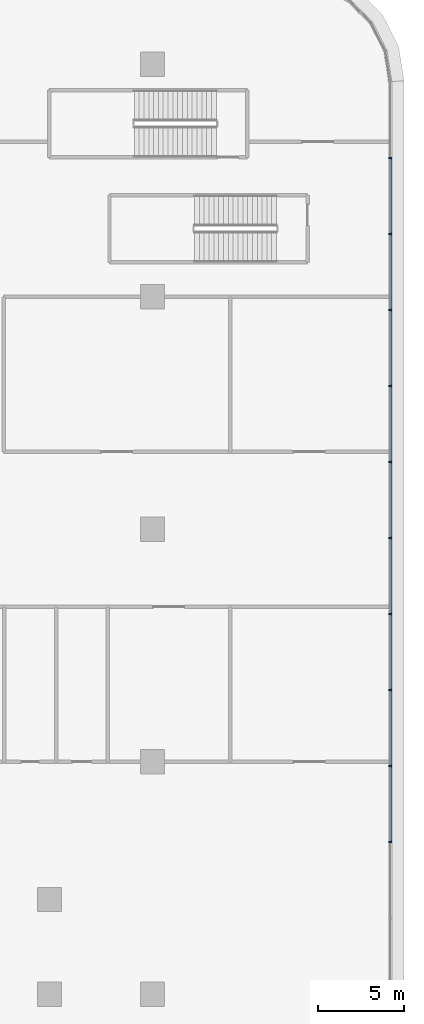
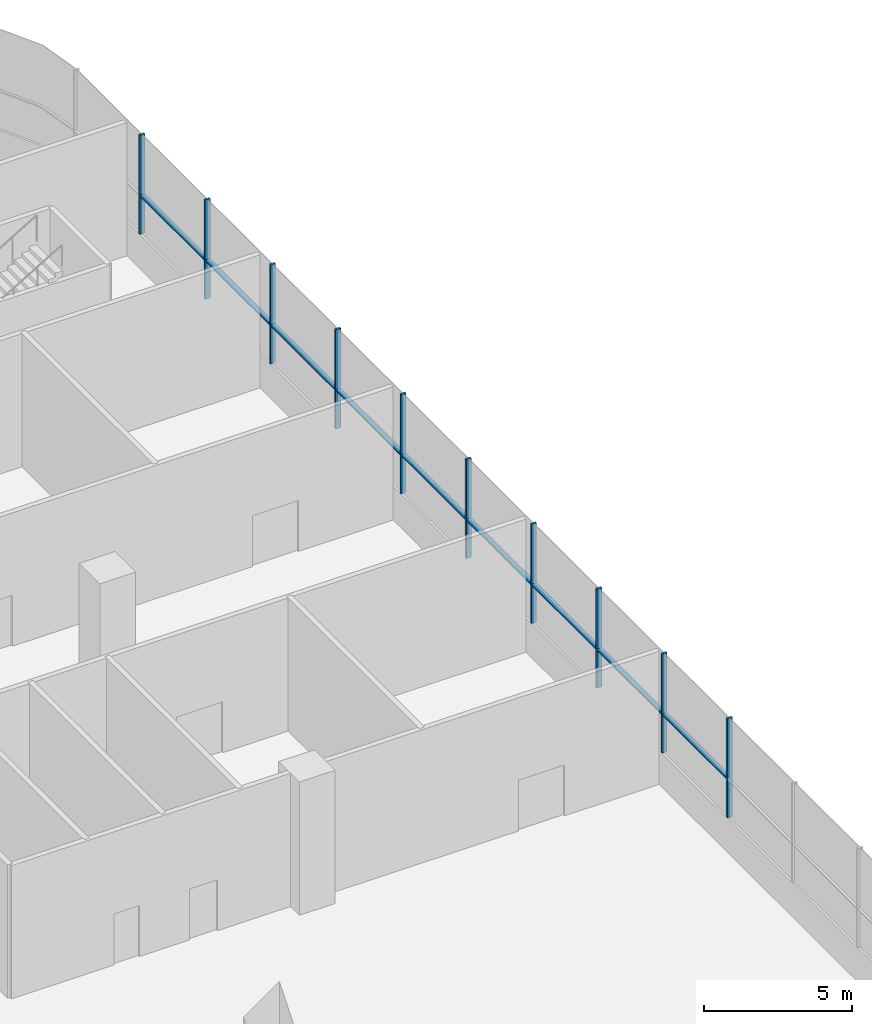
# One storey, part 21 of 52: 19 members, 1 element without a shape of its own.
"""IFC4 building model written with IfcOpenShell, lengths in metres."""

from ifc_helpers import new_model, si_unit, direction, frame, origin, origin_2d, place, context, subcontext, project, spatial, polyline, rectangle, outline, extrude, material, layer, layer_set, material_profile, profile_set, type_object, element, aggregate, save


model = new_model("IFC4")

# Units and contexts
model_context = context("Model", 3, precision=1e-05, world=origin(), true_north=direction((0.0, 1.0)))
body_context = subcontext(model_context, "Body", "Model", "MODEL_VIEW")
ifc_project = project(units=[si_unit("LENGTHUNIT", "METRE"), si_unit("AREAUNIT", "SQUARE_METRE"), si_unit("VOLUMEUNIT", "CUBIC_METRE"), si_unit("PLANEANGLEUNIT", "RADIAN"), si_unit("MASSUNIT", "GRAM", prefix="KILO")], contexts=[model_context])

# Site, building, storey
site_placement = place(None, origin())
site = spatial("IfcSite", under=ifc_project, at=site_placement, CompositionType="ELEMENT")
building_placement = place(site_placement, origin())
building = spatial("IfcBuilding", under=site, at=building_placement, Name="Tamarind Cross Interchange Tower", CompositionType="ELEMENT")
storey_placement = place(building_placement, frame((0.0, 0.0, 9.0)))
storey = spatial("IfcBuildingStorey", under=building, at=storey_placement, Name="L01", CompositionType="ELEMENT", Elevation=9.0)

# Curtain wall, members
ifc_material = material(Name="Aluminium 6063-T6", Category="aluminium")
ifc_layer = layer(ifc_material, 0.199951171875)
ifc_layer_set = layer_set([ifc_layer], Name="Aluminium 6063-T6")
curtain_wall_type = type_object("IfcCurtainWallType", Name="Podium shopfront and station curtain wall", PredefinedType="NOTDEFINED", material=ifc_layer_set)
curtain_wall_placement = place(storey_placement, origin())
curtain_wall = element("IfcCurtainWall", 1, at=curtain_wall_placement, inside=storey, type_object=curtain_wall_type, Name="CWS-L01-00", PredefinedType="NOTDEFINED")
ifc_material_profile = material_profile(ifc_material, rectangle(XDim=0.080078125, YDim=0.199951171875, at=origin_2d()), Name="Mullion CW3")
ifc_profile_set = profile_set([ifc_material_profile], Name="Aluminium 6063-T6")
member_type_1 = type_object("IfcMemberType", Name="Mullion CW3", PredefinedType="MULLION", material=ifc_profile_set)
member_1_placement = place(storey_placement, frame((67.800048828125, 8.830810546875, 1.39990234375), z_axis=(0.0, 0.0, 1.0), x_axis=(0.0, 1.0, 0.0)))
member_1 = element("IfcMember", 2, at=member_1_placement, type_object=member_type_1, Name="CWM-L01-00-14", PredefinedType="MULLION", context=body_context, shape_type="SweptSolid", body=[
    extrude(rectangle(XDim=0.080078125, YDim=0.199951171875, at=origin_2d()), origin(), (0.0, 0.0, 1.0), 4.10009765625),
])
member_2_placement = place(storey_placement, frame((67.800048828125, 13.24609375, 1.39990234375), z_axis=(0.0, 0.0, 1.0), x_axis=(0.0, 1.0, 0.0)))
member_2 = element("IfcMember", 3, at=member_2_placement, type_object=member_type_1, Name="CWM-L01-00-15", PredefinedType="MULLION", context=body_context, shape_type="SweptSolid", body=[
    extrude(rectangle(XDim=0.080078125, YDim=0.199951171875, at=origin_2d()), origin(), (0.0, 0.0, 1.0), 4.10009765625),
])
member_3_placement = place(storey_placement, frame((67.800048828125, 17.661376953125, 1.39990234375), z_axis=(0.0, 0.0, 1.0), x_axis=(0.0, 1.0, 0.0)))
member_3 = element("IfcMember", 4, at=member_3_placement, type_object=member_type_1, Name="CWM-L01-00-16", PredefinedType="MULLION", context=body_context, shape_type="SweptSolid", body=[
    extrude(rectangle(XDim=0.080078125, YDim=0.199951171875, at=origin_2d()), origin(), (0.0, 0.0, 1.0), 4.10009765625),
])
member_4_placement = place(storey_placement, frame((67.800048828125, 22.07666015625, 1.39990234375), z_axis=(0.0, 0.0, 1.0), x_axis=(0.0, 1.0, 0.0)))
member_4 = element("IfcMember", 5, at=member_4_placement, type_object=member_type_1, Name="CWM-L01-00-17", PredefinedType="MULLION", context=body_context, shape_type="SweptSolid", body=[
    extrude(rectangle(XDim=0.080078125, YDim=0.199951171875, at=origin_2d()), origin(), (0.0, 0.0, 1.0), 4.10009765625),
])
member_5_placement = place(storey_placement, frame((67.800048828125, 26.4921875, 1.39990234375), z_axis=(0.0, 0.0, 1.0), x_axis=(0.0, 1.0, 0.0)))
member_5 = element("IfcMember", 6, at=member_5_placement, type_object=member_type_1, Name="CWM-L01-00-18", PredefinedType="MULLION", context=body_context, shape_type="SweptSolid", body=[
    extrude(rectangle(XDim=0.080078125, YDim=0.199951171875, at=origin_2d()), origin(), (0.0, 0.0, 1.0), 4.10009765625),
])
member_6_placement = place(storey_placement, frame((67.800048828125, 30.907470703125, 1.39990234375), z_axis=(0.0, 0.0, 1.0), x_axis=(0.0, 1.0, 0.0)))
member_6 = element("IfcMember", 7, at=member_6_placement, type_object=member_type_1, Name="CWM-L01-00-19", PredefinedType="MULLION", context=body_context, shape_type="SweptSolid", body=[
    extrude(rectangle(XDim=0.080078125, YDim=0.199951171875, at=origin_2d()), origin(), (0.0, 0.0, 1.0), 4.10009765625),
])
member_7_placement = place(storey_placement, frame((67.800048828125, 35.32275390625, 1.39990234375), z_axis=(0.0, 0.0, 1.0), x_axis=(0.0, 1.0, 0.0)))
member_7 = element("IfcMember", 8, at=member_7_placement, type_object=member_type_1, Name="CWM-L01-00-20", PredefinedType="MULLION", context=body_context, shape_type="SweptSolid", body=[
    extrude(rectangle(XDim=0.080078125, YDim=0.199951171875, at=origin_2d()), origin(), (0.0, 0.0, 1.0), 4.10009765625),
])
member_8_placement = place(storey_placement, frame((67.800048828125, 39.73828125, 1.39990234375), z_axis=(0.0, 0.0, 1.0), x_axis=(0.0, 1.0, 0.0)))
member_8 = element("IfcMember", 9, at=member_8_placement, type_object=member_type_1, Name="CWM-L01-00-21", PredefinedType="MULLION", context=body_context, shape_type="SweptSolid", body=[
    extrude(rectangle(XDim=0.080078125, YDim=0.199951171875, at=origin_2d()), origin(), (0.0, 0.0, 1.0), 4.10009765625),
])
member_9_placement = place(storey_placement, frame((67.800048828125, 44.153564453125, 1.39990234375), z_axis=(0.0, 0.0, 1.0), x_axis=(0.0, 1.0, 0.0)))
member_9 = element("IfcMember", 10, at=member_9_placement, type_object=member_type_1, Name="CWM-L01-00-22", PredefinedType="MULLION", context=body_context, shape_type="SweptSolid", body=[
    extrude(rectangle(XDim=0.080078125, YDim=0.199951171875, at=origin_2d()), origin(), (0.0, 0.0, 1.0), 4.10009765625),
])
member_10_placement = place(storey_placement, frame((67.800048828125, 48.56884765625, 1.39990234375), z_axis=(0.0, 0.0, 1.0), x_axis=(0.0, 1.0, 0.0)))
member_10 = element("IfcMember", 11, at=member_10_placement, type_object=member_type_1, Name="CWM-L01-00-23", PredefinedType="MULLION", context=body_context, shape_type="SweptSolid", body=[
    extrude(rectangle(XDim=0.080078125, YDim=0.199951171875, at=origin_2d()), origin(), (0.0, 0.0, 1.0), 4.10009765625),
])
member_type_2 = type_object("IfcMemberType", Name="Podium intermediate transom", PredefinedType="USERDEFINED", material=ifc_material)
member_11_placement = place(storey_placement, frame((0.0, 0.0, 2.969970703125)))
member_11 = element("IfcMember", 12, at=member_11_placement, type_object=member_type_2, Name="CWT-L01-00-I0-14", ObjectType="TRANSOM", PredefinedType="USERDEFINED", context=body_context, shape_type="SweptSolid", body=[
    extrude(outline(polyline([(67.699951171875, 8.87060546875), (67.699951171875, 13.2060546875), (67.89990234375, 13.2060546875), (67.89990234375, 8.87060546875), (67.699951171875, 8.87060546875)])), origin(), (0.0, 0.0, 1.0), 0.06005859375),
])
member_12_placement = place(storey_placement, frame((0.0, 0.0, 2.969970703125)))
member_12 = element("IfcMember", 13, at=member_12_placement, type_object=member_type_2, Name="CWT-L01-00-I0-15", ObjectType="TRANSOM", PredefinedType="USERDEFINED", context=body_context, shape_type="SweptSolid", body=[
    extrude(outline(polyline([(67.699951171875, 13.2861328125), (67.699951171875, 17.621337890625), (67.89990234375, 17.621337890625), (67.89990234375, 13.2861328125), (67.699951171875, 13.2861328125)])), origin(), (0.0, 0.0, 1.0), 0.06005859375),
])
member_13_placement = place(storey_placement, frame((0.0, 0.0, 2.969970703125)))
member_13 = element("IfcMember", 14, at=member_13_placement, type_object=member_type_2, Name="CWT-L01-00-I0-16", ObjectType="TRANSOM", PredefinedType="USERDEFINED", context=body_context, shape_type="SweptSolid", body=[
    extrude(outline(polyline([(67.699951171875, 17.701416015625), (67.699951171875, 22.036865234375), (67.89990234375, 22.036865234375), (67.89990234375, 17.701416015625), (67.699951171875, 17.701416015625)])), origin(), (0.0, 0.0, 1.0), 0.06005859375),
])
member_14_placement = place(storey_placement, frame((0.0, 0.0, 2.969970703125)))
member_14 = element("IfcMember", 15, at=member_14_placement, type_object=member_type_2, Name="CWT-L01-00-I0-17", ObjectType="TRANSOM", PredefinedType="USERDEFINED", context=body_context, shape_type="SweptSolid", body=[
    extrude(outline(polyline([(67.699951171875, 22.11669921875), (67.699951171875, 26.4521484375), (67.89990234375, 26.4521484375), (67.89990234375, 22.11669921875), (67.699951171875, 22.11669921875)])), origin(), (0.0, 0.0, 1.0), 0.06005859375),
])
member_15_placement = place(storey_placement, frame((0.0, 0.0, 2.969970703125)))
member_15 = element("IfcMember", 16, at=member_15_placement, type_object=member_type_2, Name="CWT-L01-00-I0-18", ObjectType="TRANSOM", PredefinedType="USERDEFINED", context=body_context, shape_type="SweptSolid", body=[
    extrude(outline(polyline([(67.699951171875, 26.5322265625), (67.699951171875, 30.867431640625), (67.89990234375, 30.867431640625), (67.89990234375, 26.5322265625), (67.699951171875, 26.5322265625)])), origin(), (0.0, 0.0, 1.0), 0.06005859375),
])
member_16_placement = place(storey_placement, frame((0.0, 0.0, 2.969970703125)))
member_16 = element("IfcMember", 17, at=member_16_placement, type_object=member_type_2, Name="CWT-L01-00-I0-19", ObjectType="TRANSOM", PredefinedType="USERDEFINED", context=body_context, shape_type="SweptSolid", body=[
    extrude(outline(polyline([(67.699951171875, 30.947509765625), (67.699951171875, 35.282958984375), (67.89990234375, 35.282958984375), (67.89990234375, 30.947509765625), (67.699951171875, 30.947509765625)])), origin(), (0.0, 0.0, 1.0), 0.06005859375),
])
member_17_placement = place(storey_placement, frame((0.0, 0.0, 2.969970703125)))
member_17 = element("IfcMember", 18, at=member_17_placement, type_object=member_type_2, Name="CWT-L01-00-I0-20", ObjectType="TRANSOM", PredefinedType="USERDEFINED", context=body_context, shape_type="SweptSolid", body=[
    extrude(outline(polyline([(67.699951171875, 35.36279296875), (67.699951171875, 39.6982421875), (67.89990234375, 39.6982421875), (67.89990234375, 35.36279296875), (67.699951171875, 35.36279296875)])), origin(), (0.0, 0.0, 1.0), 0.06005859375),
])
member_18_placement = place(storey_placement, frame((0.0, 0.0, 2.969970703125)))
member_18 = element("IfcMember", 19, at=member_18_placement, type_object=member_type_2, Name="CWT-L01-00-I0-21", ObjectType="TRANSOM", PredefinedType="USERDEFINED", context=body_context, shape_type="SweptSolid", body=[
    extrude(outline(polyline([(67.699951171875, 39.778076171875), (67.699951171875, 44.113525390625), (67.89990234375, 44.113525390625), (67.89990234375, 39.778076171875), (67.699951171875, 39.778076171875)])), origin(), (0.0, 0.0, 1.0), 0.06005859375),
])
member_19_placement = place(storey_placement, frame((0.0, 0.0, 2.969970703125)))
member_19 = element("IfcMember", 20, at=member_19_placement, type_object=member_type_2, Name="CWT-L01-00-I0-22", ObjectType="TRANSOM", PredefinedType="USERDEFINED", context=body_context, shape_type="SweptSolid", body=[
    extrude(outline(polyline([(67.699951171875, 44.193603515625), (67.699951171875, 48.52880859375), (67.89990234375, 48.52880859375), (67.89990234375, 44.193603515625), (67.699951171875, 44.193603515625)])), origin(), (0.0, 0.0, 1.0), 0.06005859375),
])
aggregate(curtain_wall, [member_1, member_2, member_3, member_4, member_5, member_6, member_7, member_8, member_9, member_10, member_11, member_12, member_13, member_14, member_15, member_16, member_17, member_18, member_19])

save(model, "model.ifc")
